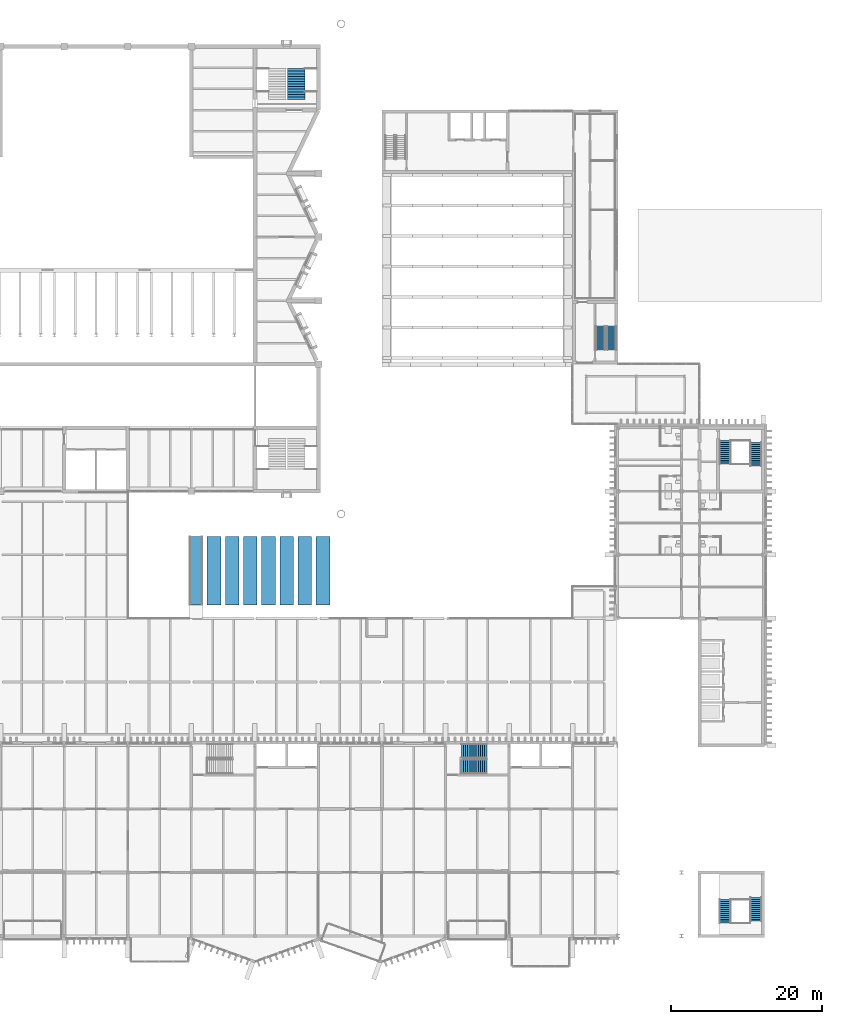
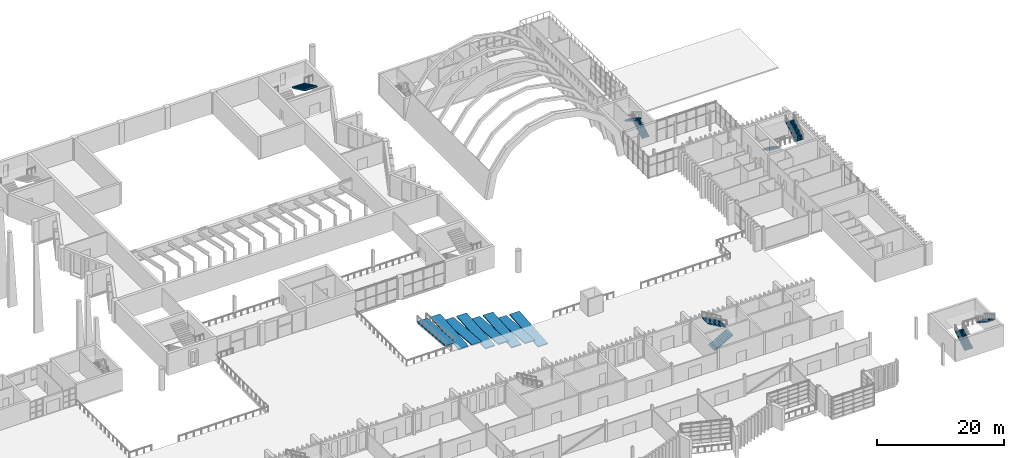
# One storey, part 74 of 96: 9 stair flights, 8 ramp flights, 6 elements without a shape of their own.
"""IFC4 building model written with IfcOpenShell, lengths in metres."""

from ifc_helpers import new_model, si_unit, direction, frame, origin, place, context, subcontext, project, spatial, polyline, outline, extrude, material, layer, layer_set, type_object, element, aggregate, save


model = new_model("IFC4")

# Units and contexts
model_context = context("Model", 3, precision=1e-05, world=origin(), true_north=direction((0.0, 1.0)))
body_context = subcontext(model_context, "Body", "Model", "MODEL_VIEW")
ifc_project = project(units=[si_unit("LENGTHUNIT", "METRE"), si_unit("AREAUNIT", "SQUARE_METRE"), si_unit("VOLUMEUNIT", "CUBIC_METRE"), si_unit("PLANEANGLEUNIT", "RADIAN"), si_unit("MASSUNIT", "GRAM", prefix="KILO")], contexts=[model_context])

# Site, building, storey
site_placement = place(None, origin())
site = spatial("IfcSite", under=ifc_project, at=site_placement, CompositionType="ELEMENT")
building_placement = place(site_placement, origin())
building = spatial("IfcBuilding", under=site, at=building_placement, Name="Cresset Court Congress Hotel", CompositionType="ELEMENT")
storey_placement = place(building_placement, frame((0.0, 0.0, 6.0)))
storey = spatial("IfcBuildingStorey", under=building, at=storey_placement, Name="L01", CompositionType="ELEMENT", Elevation=6.0)

# Stair, stair flights
ifc_material_1 = material(Name="Concrete C40", Category="concrete")
stair_type_1 = type_object("IfcStairType", Name="Concrete dog-leg stair 5600", PredefinedType="HALF_TURN_STAIR", material=ifc_material_1)
stair_1_placement = place(storey_placement, origin())
stair_1 = element("IfcStair", 1, at=stair_1_placement, inside=storey, type_object=stair_type_1, Name="Stair A1 L01", PredefinedType="HALF_TURN_STAIR")
ifc_material_2 = material(Name="Concrete C40", Category="concrete")
stair_flight_type_1 = type_object("IfcStairFlightType", Name="Concrete stair flight", PredefinedType="STRAIGHT", material=ifc_material_2)
stair_flight_1_placement = place(storey_placement, frame((171.35009765625, 1.699951171875, 0.0), z_axis=(0.0, 0.0, 1.0), x_axis=(0.0, 1.0, 0.0)))
stair_flight_1 = element("IfcStairFlight", 2, at=stair_flight_1_placement, type_object=stair_flight_type_1, Name="A-ST1 flight 1", NumberOfRisers=13, NumberOfTreads=12, PredefinedType="STRAIGHT", RiserHeight=0.161538462, TreadLength=0.26, context=body_context, shape_type="SweptSolid", body=[
    extrude(outline(polyline([(0.0, 0.0), (0.0, 0.16162109375), (0.260009765625, 0.16162109375), (0.260009765625, 0.322998046875), (0.52001953125, 0.322998046875), (0.52001953125, 0.484619140625), (0.780029296875, 0.484619140625), (0.780029296875, 0.646240234375), (1.0400390625, 0.646240234375), (1.0400390625, 0.8076171875), (1.300048828125, 0.8076171875), (1.300048828125, 0.96923828125), (1.56005859375, 0.96923828125), (1.56005859375, 1.130859375), (1.820068359375, 1.130859375), (1.820068359375, 1.292236328125), (2.080078125, 1.292236328125), (2.080078125, 1.453857421875), (2.340087890625, 1.453857421875), (2.340087890625, 1.615478515625), (2.60009765625, 1.615478515625), (2.60009765625, 1.77685546875), (2.860107421875, 1.77685546875), (2.860107421875, 1.9384765625), (3.1201171875, 1.9384765625), (3.1201171875, 2.10009765625), (3.1201171875, 1.761962890625), (0.283935546875, 0.0), (0.0, 0.0)])), frame((0.0, 0.75, 0.0), z_axis=(0.0, -1.0, 0.0), x_axis=(1.0, 0.0, 0.0)), (0.0, 0.0, 1.0), 1.5),
])
stair_flight_2_placement = place(storey_placement, frame((175.449951171875, 5.080078125, 2.10009765625), z_axis=(0.0, 0.0, 1.0), x_axis=(0.0, -1.0, 0.0)))
stair_flight_2 = element("IfcStairFlight", 3, at=stair_flight_2_placement, type_object=stair_flight_type_1, Name="A-ST1 flight 2", NumberOfRisers=13, NumberOfTreads=12, PredefinedType="STRAIGHT", RiserHeight=0.161538462, TreadLength=0.26, context=body_context, shape_type="SweptSolid", body=[
    extrude(outline(polyline([(0.0, 0.0), (0.0, 0.16162109375), (0.260009765625, 0.16162109375), (0.260009765625, 0.322998046875), (0.52001953125, 0.322998046875), (0.52001953125, 0.484619140625), (0.780029296875, 0.484619140625), (0.780029296875, 0.646240234375), (1.0400390625, 0.646240234375), (1.0400390625, 0.8076171875), (1.300048828125, 0.8076171875), (1.300048828125, 0.96923828125), (1.56005859375, 0.96923828125), (1.56005859375, 1.130859375), (1.820068359375, 1.130859375), (1.820068359375, 1.292236328125), (2.080078125, 1.292236328125), (2.080078125, 1.453857421875), (2.340087890625, 1.453857421875), (2.340087890625, 1.615478515625), (2.60009765625, 1.615478515625), (2.60009765625, 1.77685546875), (2.860107421875, 1.77685546875), (2.860107421875, 1.9384765625), (3.1201171875, 1.9384765625), (3.1201171875, 2.10009765625), (3.1201171875, 1.761962890625), (0.283935546875, 0.0), (0.0, 0.0)])), frame((0.0, 0.75, 0.0), z_axis=(0.0, -1.0, 0.0), x_axis=(1.0, 0.0, 0.0)), (0.0, 0.0, 1.0), 1.5),
])
aggregate(stair_1, [stair_flight_1, stair_flight_2])

stair_2_placement = place(storey_placement, origin())
stair_2 = element("IfcStair", 4, at=stair_2_placement, inside=storey, type_object=stair_type_1, Name="Stair A2 L01", PredefinedType="HALF_TURN_STAIR")
stair_flight_3_placement = place(storey_placement, frame((171.35009765625, 65.5, 0.0), z_axis=(0.0, 0.0, 1.0), x_axis=(0.0, -1.0, 0.0)))
stair_flight_3 = element("IfcStairFlight", 5, at=stair_flight_3_placement, type_object=stair_flight_type_1, Name="A-ST1 flight 1", NumberOfRisers=13, NumberOfTreads=12, PredefinedType="STRAIGHT", RiserHeight=0.161538462, TreadLength=0.26, context=body_context, shape_type="SweptSolid", body=[
    extrude(outline(polyline([(0.0, 0.0), (0.0, 0.16162109375), (0.260009765625, 0.16162109375), (0.260009765625, 0.322998046875), (0.52001953125, 0.322998046875), (0.52001953125, 0.484619140625), (0.780029296875, 0.484619140625), (0.780029296875, 0.646240234375), (1.0400390625, 0.646240234375), (1.0400390625, 0.8076171875), (1.300048828125, 0.8076171875), (1.300048828125, 0.96923828125), (1.56005859375, 0.96923828125), (1.56005859375, 1.130859375), (1.820068359375, 1.130859375), (1.820068359375, 1.292236328125), (2.080078125, 1.292236328125), (2.080078125, 1.453857421875), (2.340087890625, 1.453857421875), (2.340087890625, 1.615478515625), (2.60009765625, 1.615478515625), (2.60009765625, 1.77685546875), (2.860107421875, 1.77685546875), (2.860107421875, 1.9384765625), (3.1201171875, 1.9384765625), (3.1201171875, 2.10009765625), (3.1201171875, 1.761962890625), (0.283935546875, 0.0), (0.0, 0.0)])), frame((0.0, 0.75, 0.0), z_axis=(0.0, -1.0, 0.0), x_axis=(1.0, 0.0, 0.0)), (0.0, 0.0, 1.0), 1.5),
])
stair_flight_4_placement = place(storey_placement, frame((175.449951171875, 62.1201171875, 2.10009765625), z_axis=(0.0, 0.0, 1.0), x_axis=(0.0, 1.0, 0.0)))
stair_flight_4 = element("IfcStairFlight", 6, at=stair_flight_4_placement, type_object=stair_flight_type_1, Name="A-ST1 flight 2", NumberOfRisers=13, NumberOfTreads=12, PredefinedType="STRAIGHT", RiserHeight=0.161538462, TreadLength=0.26, context=body_context, shape_type="SweptSolid", body=[
    extrude(outline(polyline([(0.0, 0.0), (0.0, 0.16162109375), (0.260009765625, 0.16162109375), (0.260009765625, 0.322998046875), (0.52001953125, 0.322998046875), (0.52001953125, 0.484619140625), (0.780029296875, 0.484619140625), (0.780029296875, 0.646240234375), (1.0400390625, 0.646240234375), (1.0400390625, 0.8076171875), (1.300048828125, 0.8076171875), (1.300048828125, 0.96923828125), (1.56005859375, 0.96923828125), (1.56005859375, 1.130859375), (1.820068359375, 1.130859375), (1.820068359375, 1.292236328125), (2.080078125, 1.292236328125), (2.080078125, 1.453857421875), (2.340087890625, 1.453857421875), (2.340087890625, 1.615478515625), (2.60009765625, 1.615478515625), (2.60009765625, 1.77685546875), (2.860107421875, 1.77685546875), (2.860107421875, 1.9384765625), (3.1201171875, 1.9384765625), (3.1201171875, 2.10009765625), (3.1201171875, 1.761962890625), (0.283935546875, 0.0), (0.0, 0.0)])), frame((0.0, 0.75, 0.0), z_axis=(0.0, -1.0, 0.0), x_axis=(1.0, 0.0, 0.0)), (0.0, 0.0, 1.0), 1.5),
])
aggregate(stair_2, [stair_flight_3, stair_flight_4])

# Stair, stair flight
ifc_material_3 = material(Name="Concrete C40", Category="concrete")
stair_type_2 = type_object("IfcStairType", Name="Core stair", PredefinedType="STRAIGHT_RUN_STAIR", material=ifc_material_3)
stair_3_placement = place(storey_placement, origin())
stair_3 = element("IfcStair", 7, at=stair_3_placement, inside=storey, type_object=stair_type_2, Name="Stair ST-C4 L01", PredefinedType="STRAIGHT_RUN_STAIR")
ifc_material_4 = material(Name="Concrete C40", Category="concrete")
stair_flight_type_2 = type_object("IfcStairFlightType", Name="Core stair flight", PredefinedType="STRAIGHT", material=ifc_material_4)
stair_flight_5_placement = place(storey_placement, frame((114.64990234375, 114.679931640625, 2.10009765625), z_axis=(0.0, 0.0, 1.0), x_axis=(0.0, -1.0, 0.0)))
stair_flight_5 = element("IfcStairFlight", 8, at=stair_flight_5_placement, type_object=stair_flight_type_2, Name="C-ST flight 2", NumberOfRisers=13, NumberOfTreads=12, PredefinedType="STRAIGHT", RiserHeight=0.161538462, TreadLength=0.34, context=body_context, shape_type="SweptSolid", body=[
    extrude(outline(polyline([(0.0, 0.0), (0.0, 0.16162109375), (0.340087890625, 0.16162109375), (0.340087890625, 0.322998046875), (0.679931640625, 0.322998046875), (0.679931640625, 0.484619140625), (1.02001953125, 0.484619140625), (1.02001953125, 0.646240234375), (1.360107421875, 0.646240234375), (1.360107421875, 0.8076171875), (1.699951171875, 0.8076171875), (1.699951171875, 0.96923828125), (2.0400390625, 0.96923828125), (2.0400390625, 1.130859375), (2.3798828125, 1.130859375), (2.3798828125, 1.292236328125), (2.719970703125, 1.292236328125), (2.719970703125, 1.453857421875), (3.06005859375, 1.453857421875), (3.06005859375, 1.615478515625), (3.39990234375, 1.615478515625), (3.39990234375, 1.77685546875), (3.739990234375, 1.77685546875), (3.739990234375, 1.9384765625), (4.080078125, 1.9384765625), (4.080078125, 2.10009765625), (4.080078125, 1.7724609375), (0.349365234375, 0.0), (0.0, 0.0)])), frame((0.0, 1.14990234375, 0.0), z_axis=(0.0, -1.0, 0.0), x_axis=(1.0, 0.0, 0.0)), (0.0, 0.0, 1.0), 2.300048828125),
])
aggregate(stair_3, [stair_flight_5])

# Stair, stair flights
ifc_material_5 = material(Name="Half-turn stair 1300")
stair_type_3 = type_object("IfcStairType", Name="Half-turn stair 1300", PredefinedType="HALF_TURN_STAIR", material=ifc_material_5)
stair_4_placement = place(storey_placement, origin())
stair_4 = element("IfcStair", 9, at=stair_4_placement, inside=storey, type_object=stair_type_3, Name="L01 stair", PredefinedType="HALF_TURN_STAIR")
ifc_material_6 = material(Name="Stair flight 1300")
stair_flight_type_3 = type_object("IfcStairFlightType", Name="Stair flight 1300", PredefinedType="STRAIGHT", material=ifc_material_6)
stair_flight_6_placement = place(storey_placement, frame((156.35009765625, 77.5, 0.0), z_axis=(0.0, 0.0, 1.0), x_axis=(0.0, 1.0, 0.0)))
stair_flight_6 = element("IfcStairFlight", 10, at=stair_flight_6_placement, type_object=stair_flight_type_3, Name="ST-E2 flight 1", NumberOfRisers=13, NumberOfTreads=12, PredefinedType="STRAIGHT", RiserHeight=0.161538462, TreadLength=0.26, context=body_context, shape_type="SweptSolid", body=[
    extrude(outline(polyline([(0.0, 0.0), (0.0, 0.16162109375), (0.260009765625, 0.16162109375), (0.260009765625, 0.322998046875), (0.52001953125, 0.322998046875), (0.52001953125, 0.484619140625), (0.780029296875, 0.484619140625), (0.780029296875, 0.646240234375), (1.0400390625, 0.646240234375), (1.0400390625, 0.8076171875), (1.300048828125, 0.8076171875), (1.300048828125, 0.96923828125), (1.56005859375, 0.96923828125), (1.56005859375, 1.130859375), (1.820068359375, 1.130859375), (1.820068359375, 1.292236328125), (2.080078125, 1.292236328125), (2.080078125, 1.453857421875), (2.340087890625, 1.453857421875), (2.340087890625, 1.615478515625), (2.60009765625, 1.615478515625), (2.60009765625, 1.77685546875), (2.860107421875, 1.77685546875), (2.860107421875, 1.9384765625), (3.1201171875, 1.9384765625), (3.1201171875, 2.10009765625), (3.1201171875, 1.761962890625), (0.283935546875, 0.0), (0.0, 0.0)])), frame((0.0, 0.64990234375, 0.0), z_axis=(0.0, -1.0, 0.0), x_axis=(1.0, 0.0, 0.0)), (0.0, 0.0, 1.0), 1.300048828125),
])
stair_flight_7_placement = place(storey_placement, frame((154.89990234375, 80.6201171875, 2.10009765625), z_axis=(0.0, 0.0, 1.0), x_axis=(0.0, -1.0, 0.0)))
stair_flight_7 = element("IfcStairFlight", 11, at=stair_flight_7_placement, type_object=stair_flight_type_3, Name="ST-E2 flight 2", NumberOfRisers=13, NumberOfTreads=12, PredefinedType="STRAIGHT", RiserHeight=0.161538462, TreadLength=0.26, context=body_context, shape_type="SweptSolid", body=[
    extrude(outline(polyline([(0.0, 0.0), (0.0, 0.16162109375), (0.260009765625, 0.16162109375), (0.260009765625, 0.322998046875), (0.52001953125, 0.322998046875), (0.52001953125, 0.484619140625), (0.780029296875, 0.484619140625), (0.780029296875, 0.646240234375), (1.0400390625, 0.646240234375), (1.0400390625, 0.8076171875), (1.300048828125, 0.8076171875), (1.300048828125, 0.96923828125), (1.56005859375, 0.96923828125), (1.56005859375, 1.130859375), (1.820068359375, 1.130859375), (1.820068359375, 1.292236328125), (2.080078125, 1.292236328125), (2.080078125, 1.453857421875), (2.340087890625, 1.453857421875), (2.340087890625, 1.615478515625), (2.60009765625, 1.615478515625), (2.60009765625, 1.77685546875), (2.860107421875, 1.77685546875), (2.860107421875, 1.9384765625), (3.1201171875, 1.9384765625), (3.1201171875, 2.10009765625), (3.1201171875, 1.761962890625), (0.283935546875, 0.0), (0.0, 0.0)])), frame((0.0, 0.64990234375, 0.0), z_axis=(0.0, -1.0, 0.0), x_axis=(1.0, 0.0, 0.0)), (0.0, 0.0, 1.0), 1.300048828125),
])
aggregate(stair_4, [stair_flight_6, stair_flight_7])

ifc_material_7 = material(Name="Concrete C40", Category="concrete")
stair_type_4 = type_object("IfcStairType", Name="Dog-leg stair 1400 flights", PredefinedType="HALF_TURN_STAIR", material=ifc_material_7)
stair_5_placement = place(storey_placement, origin())
stair_5 = element("IfcStair", 12, at=stair_5_placement, inside=storey, type_object=stair_type_4, Name="L01 Stair ST-B5", PredefinedType="HALF_TURN_STAIR")
ifc_material_8 = material(Name="Concrete C40", Category="concrete")
stair_flight_type_4 = type_object("IfcStairFlightType", Name="Stair flight 1400", PredefinedType="STRAIGHT", material=ifc_material_8)
stair_flight_8_placement = place(storey_placement, frame((136.5, 22.39990234375, 0.0), z_axis=(0.0, 0.0, 1.0), x_axis=(1.0, 0.0, 0.0)))
stair_flight_8 = element("IfcStairFlight", 13, at=stair_flight_8_placement, type_object=stair_flight_type_4, Name="ST-B5 flight 1", NumberOfRisers=13, NumberOfTreads=12, PredefinedType="STRAIGHT", RiserHeight=0.161538462, TreadLength=0.28, context=body_context, shape_type="SweptSolid", body=[
    extrude(outline(polyline([(0.0, 0.0), (0.0, 0.16162109375), (0.280029296875, 0.16162109375), (0.280029296875, 0.322998046875), (0.56005859375, 0.322998046875), (0.56005859375, 0.484619140625), (0.840087890625, 0.484619140625), (0.840087890625, 0.646240234375), (1.1201171875, 0.646240234375), (1.1201171875, 0.8076171875), (1.39990234375, 0.8076171875), (1.39990234375, 0.96923828125), (1.679931640625, 0.96923828125), (1.679931640625, 1.130859375), (1.9599609375, 1.130859375), (1.9599609375, 1.292236328125), (2.239990234375, 1.292236328125), (2.239990234375, 1.453857421875), (2.52001953125, 1.453857421875), (2.52001953125, 1.615478515625), (2.800048828125, 1.615478515625), (2.800048828125, 1.77685546875), (3.080078125, 1.77685546875), (3.080078125, 1.9384765625), (3.360107421875, 1.9384765625), (3.360107421875, 2.10009765625), (3.360107421875, 1.765380859375), (0.300048828125, 0.0), (0.0, 0.0)])), frame((0.0, 0.949951171875, 0.0), z_axis=(0.0, -1.0, 0.0), x_axis=(1.0, 0.0, 0.0)), (0.0, 0.0, 1.0), 1.89990234375),
])
stair_flight_9_placement = place(storey_placement, frame((139.860107421875, 24.449951171875, 2.10009765625), z_axis=(0.0, 0.0, 1.0), x_axis=(-1.0, 0.0, 0.0)))
stair_flight_9 = element("IfcStairFlight", 14, at=stair_flight_9_placement, type_object=stair_flight_type_4, Name="ST-B5 flight 2", NumberOfRisers=13, NumberOfTreads=12, PredefinedType="STRAIGHT", RiserHeight=0.161538462, TreadLength=0.28, context=body_context, shape_type="SweptSolid", body=[
    extrude(outline(polyline([(0.0, 0.0), (0.0, 0.16162109375), (0.280029296875, 0.16162109375), (0.280029296875, 0.322998046875), (0.56005859375, 0.322998046875), (0.56005859375, 0.484619140625), (0.840087890625, 0.484619140625), (0.840087890625, 0.646240234375), (1.1201171875, 0.646240234375), (1.1201171875, 0.8076171875), (1.39990234375, 0.8076171875), (1.39990234375, 0.96923828125), (1.679931640625, 0.96923828125), (1.679931640625, 1.130859375), (1.9599609375, 1.130859375), (1.9599609375, 1.292236328125), (2.239990234375, 1.292236328125), (2.239990234375, 1.453857421875), (2.52001953125, 1.453857421875), (2.52001953125, 1.615478515625), (2.800048828125, 1.615478515625), (2.800048828125, 1.77685546875), (3.080078125, 1.77685546875), (3.080078125, 1.9384765625), (3.360107421875, 1.9384765625), (3.360107421875, 2.10009765625), (3.360107421875, 1.765380859375), (0.300048828125, 0.0), (0.0, 0.0)])), frame((0.0, 0.949951171875, 0.0), z_axis=(0.0, -1.0, 0.0), x_axis=(1.0, 0.0, 0.0)), (0.0, 0.0, 1.0), 1.89990234375),
])
aggregate(stair_5, [stair_flight_8, stair_flight_9])

# Ramp, ramp flights
ifc_material_9 = material(Name="Concrete C35", Category="concrete")
ramp_type = type_object("IfcRampType", Name="Ramp 1:12", PredefinedType="STRAIGHT_RUN_RAMP", material=ifc_material_9)
ramp_placement = place(storey_placement, origin())
ramp = element("IfcRamp", 15, at=ramp_placement, inside=storey, type_object=ramp_type, Name="Deck ramp D01", PredefinedType="STRAIGHT_RUN_RAMP")
ifc_material_10 = material(Name="Concrete C35", Category="concrete")
ifc_layer = layer(ifc_material_10, 0.199951171875)
ifc_layer_set = layer_set([ifc_layer], Name="Ramp flight 1:12")
ramp_flight_type = type_object("IfcRampFlightType", Name="Ramp flight 1:12", PredefinedType="STRAIGHT", material=ifc_layer_set)
ramp_flight_1_placement = place(storey_placement, frame((100.5, 43.800048828125, 0.0), z_axis=(0.0, 0.083045479854, 0.996545758245), x_axis=(1.0, 0.0, 0.0)))
ramp_flight_1 = element("IfcRampFlight", 16, at=ramp_flight_1_placement, type_object=ramp_flight_type, Name="S.ramp.L01.D01.F1", PredefinedType="STRAIGHT", context=body_context, shape_type="SweptSolid", body=[
    extrude(outline(polyline([(0.0, 0.0), (0.89990234375, 0.0), (1.800048828125, 0.0), (1.800048828125, 4.515597967047111), (1.800048828125, 9.031195934094223), (0.89990234375, 9.031195934094223), (0.0, 9.031195934094223), (0.0, 4.515597967047111), (0.0, 0.0)])), origin(), (0.0, 0.0, -1.0), 0.199951171875),
])
placement = place(building_placement, origin())
ramp_flight_2_placement = place(placement, frame((102.89990234375, 52.800048828125, 5.25), z_axis=(0.0, -0.083045479854, 0.996545758245), x_axis=(1.0, 0.0, 0.0)))
ramp_flight_2 = element("IfcRampFlight", 17, at=ramp_flight_2_placement, type_object=ramp_flight_type, Name="S.ramp.L01.D01.F2", PredefinedType="STRAIGHT", context=body_context, shape_type="SweptSolid", body=[
    extrude(outline(polyline([(0.0, 0.0), (0.900146484375, 0.0), (1.800048828125, 0.0), (1.800048828125, -4.515597967047111), (1.800048828125, -9.031195934094223), (0.900146484375, -9.031195934094223), (0.0, -9.031195934094223), (0.0, -4.515597967047111), (0.0, 0.0)])), origin(), (0.0, 0.0, -1.0), 0.199951171875),
])
ramp_flight_3_placement = place(placement, frame((105.300048828125, 43.800048828125, 4.5), z_axis=(0.0, 0.083045479854, 0.996545758245), x_axis=(1.0, 0.0, 0.0)))
ramp_flight_3 = element("IfcRampFlight", 18, at=ramp_flight_3_placement, type_object=ramp_flight_type, Name="S.ramp.L01.D01.F3", PredefinedType="STRAIGHT", context=body_context, shape_type="SweptSolid", body=[
    extrude(outline(polyline([(0.0, 0.0), (0.89990234375, 0.0), (1.800048828125, 0.0), (1.800048828125, 4.515597967047111), (1.800048828125, 9.031195934094223), (0.89990234375, 9.031195934094223), (0.0, 9.031195934094223), (0.0, 4.515597967047111), (0.0, 0.0)])), origin(), (0.0, 0.0, -1.0), 0.199951171875),
])
ramp_flight_4_placement = place(placement, frame((107.699951171875, 52.800048828125, 3.75), z_axis=(0.0, -0.083045479854, 0.996545758245), x_axis=(1.0, 0.0, 0.0)))
ramp_flight_4 = element("IfcRampFlight", 19, at=ramp_flight_4_placement, type_object=ramp_flight_type, Name="S.ramp.L01.D01.F4", PredefinedType="STRAIGHT", context=body_context, shape_type="SweptSolid", body=[
    extrude(outline(polyline([(0.0, 0.0), (0.900146484375, 0.0), (1.800048828125, 0.0), (1.800048828125, -4.515597967047111), (1.800048828125, -9.031195934094223), (0.900146484375, -9.031195934094223), (0.0, -9.031195934094223), (0.0, -4.515597967047111), (0.0, 0.0)])), origin(), (0.0, 0.0, -1.0), 0.199951171875),
])
ramp_flight_5_placement = place(placement, frame((110.10009765625, 43.800048828125, 3.0), z_axis=(0.0, 0.083045479854, 0.996545758245), x_axis=(1.0, 0.0, 0.0)))
ramp_flight_5 = element("IfcRampFlight", 20, at=ramp_flight_5_placement, type_object=ramp_flight_type, Name="S.ramp.L01.D01.F5", PredefinedType="STRAIGHT", context=body_context, shape_type="SweptSolid", body=[
    extrude(outline(polyline([(0.0, 0.0), (0.89990234375, 0.0), (1.7998046875, 0.0), (1.7998046875, 4.5155979670471105), (1.7998046875, 9.031195934094221), (0.89990234375, 9.031195934094221), (0.0, 9.031195934094221), (0.0, 4.5155979670471105), (0.0, 0.0)])), origin(), (0.0, 0.0, -1.0), 0.199951171875),
])
ramp_flight_6_placement = place(placement, frame((112.5, 52.800048828125, 2.25), z_axis=(0.0, -0.083045479854, 0.996545758245), x_axis=(1.0, 0.0, 0.0)))
ramp_flight_6 = element("IfcRampFlight", 21, at=ramp_flight_6_placement, type_object=ramp_flight_type, Name="S.ramp.L01.D01.F6", PredefinedType="STRAIGHT", context=body_context, shape_type="SweptSolid", body=[
    extrude(outline(polyline([(0.0, 0.0), (0.89990234375, 0.0), (1.800048828125, 0.0), (1.800048828125, -4.515597967047111), (1.800048828125, -9.031195934094223), (0.89990234375, -9.031195934094223), (0.0, -9.031195934094223), (0.0, -4.515597967047111), (0.0, 0.0)])), origin(), (0.0, 0.0, -1.0), 0.199951171875),
])
ramp_flight_7_placement = place(placement, frame((114.89990234375, 43.800048828125, 1.5), z_axis=(0.0, 0.083045479854, 0.996545758245), x_axis=(1.0, 0.0, 0.0)))
ramp_flight_7 = element("IfcRampFlight", 22, at=ramp_flight_7_placement, type_object=ramp_flight_type, Name="S.ramp.L01.D01.F7", PredefinedType="STRAIGHT", context=body_context, shape_type="SweptSolid", body=[
    extrude(outline(polyline([(0.0, 0.0), (0.900146484375, 0.0), (1.800048828125, 0.0), (1.800048828125, 4.515597967047111), (1.800048828125, 9.031195934094223), (0.900146484375, 9.031195934094223), (0.0, 9.031195934094223), (0.0, 4.515597967047111), (0.0, 0.0)])), origin(), (0.0, 0.0, -1.0), 0.199951171875),
])
ramp_flight_8_placement = place(placement, frame((117.300048828125, 52.800048828125, 0.75), z_axis=(0.0, -0.083045479854, 0.996545758245), x_axis=(1.0, 0.0, 0.0)))
ramp_flight_8 = element("IfcRampFlight", 23, at=ramp_flight_8_placement, type_object=ramp_flight_type, Name="S.ramp.L01.D01.F8", PredefinedType="STRAIGHT", context=body_context, shape_type="SweptSolid", body=[
    extrude(outline(polyline([(0.0, 0.0), (0.89990234375, 0.0), (1.800048828125, 0.0), (1.800048828125, -4.515597967047111), (1.800048828125, -9.031195934094223), (0.89990234375, -9.031195934094223), (0.0, -9.031195934094223), (0.0, -4.515597967047111), (0.0, 0.0)])), origin(), (0.0, 0.0, -1.0), 0.199951171875),
])
aggregate(ramp, [ramp_flight_1, ramp_flight_2, ramp_flight_3, ramp_flight_4, ramp_flight_5, ramp_flight_6, ramp_flight_7, ramp_flight_8])

save(model, "model.ifc")
